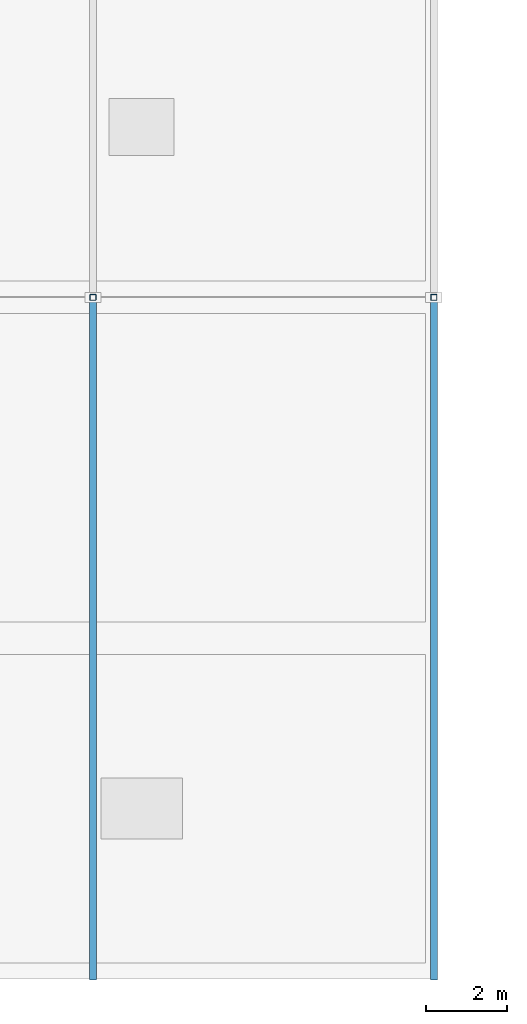
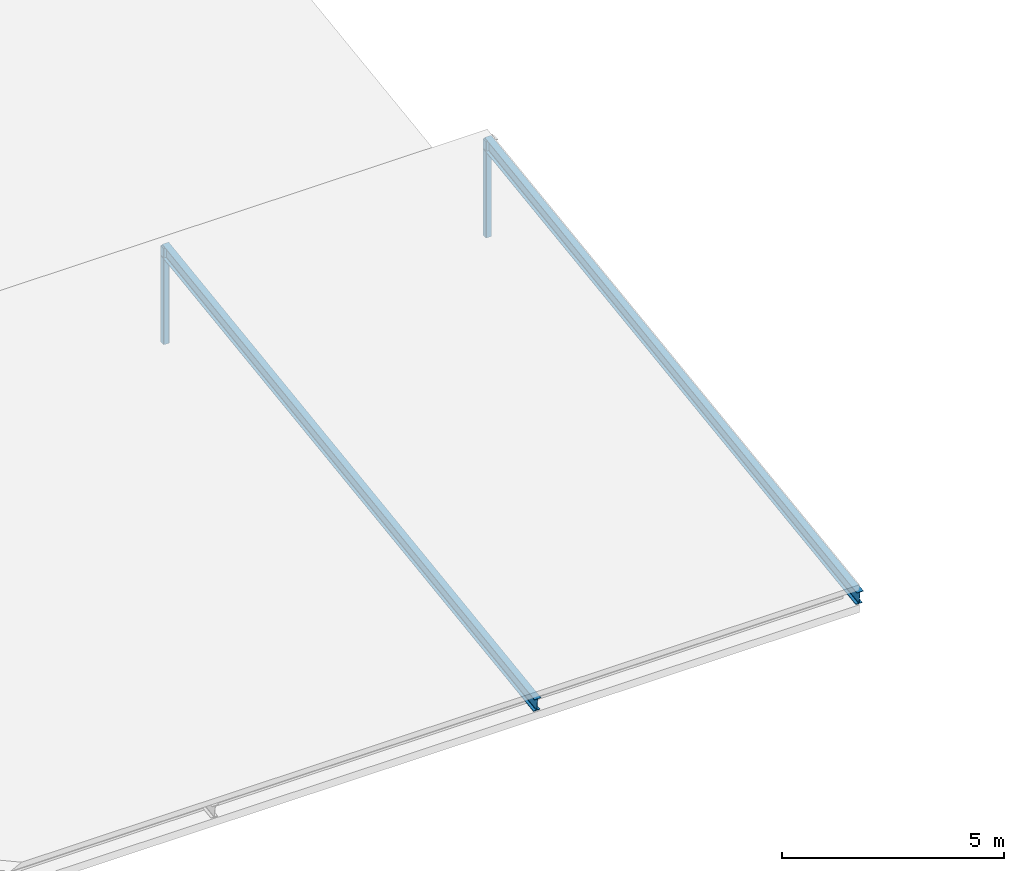
# One storey, part 2 of 12: 2 beams, 2 members.
"""IFC4 building model written with IfcOpenShell, lengths in metres."""

from ifc_helpers import new_model, si_unit, direction, frame, origin, origin_2d, place, context, subcontext, project, spatial, hollow_rectangle, i_section, extrude, material, material_profile, profile_set, type_object, element, save


model = new_model("IFC4")

# Units and contexts
model_context = context("Model", 3, precision=1e-05, world=origin(), true_north=direction((0.0, 1.0)))
body_context = subcontext(model_context, "Body", "Model", "MODEL_VIEW")
ifc_project = project(units=[si_unit("LENGTHUNIT", "METRE"), si_unit("AREAUNIT", "SQUARE_METRE"), si_unit("VOLUMEUNIT", "CUBIC_METRE"), si_unit("PLANEANGLEUNIT", "RADIAN"), si_unit("MASSUNIT", "GRAM", prefix="KILO")], contexts=[model_context])

# Site, building, storey
site_placement = place(None, origin())
site = spatial("IfcSite", under=ifc_project, at=site_placement, CompositionType="ELEMENT")
building_placement = place(site_placement, origin())
building = spatial("IfcBuilding", under=site, at=building_placement, Name="Varnapada Polytechnic", CompositionType="ELEMENT")
storey_placement = place(building_placement, frame((0.0, 0.0, 30.60009765625)))
storey = spatial("IfcBuildingStorey", under=building, at=storey_placement, Name="Roof", CompositionType="ELEMENT", Elevation=30.60009765625)

# Members
ifc_material = material(Name="Steel S355", Category="steel")
ifc_material_profile_1 = material_profile(ifc_material, hollow_rectangle(XDim=0.14990234375, YDim=0.14990234375, WallThickness=0.00634765625, InnerFilletRadius=0.006103515625, OuterFilletRadius=0.011962890625, at=origin_2d()), Name="SHS 150x150x6.3")
ifc_profile_set_1 = profile_set([ifc_material_profile_1], Name="Steel S355")
member_type = type_object("IfcMemberType", Name="Sawtooth north-light mullion post SFP-02 (SHS 150x150x6.3)", PredefinedType="POST", material=ifc_profile_set_1)
for number, where, z_axis, x_axis, name in (
    (1, (16.800048828125, 75.60009765625, -0.02001953125), (0.0, 0.0, 1.0), (1.0, 0.0, 0.0), "Studio sawtooth north-light post 1.3"),
    (2, (25.199951171875, 75.60009765625, -0.02001953125), (0.0, 0.0, 1.0), (1.0, 0.0, 0.0), "Studio sawtooth north-light post 1.4"),
):
    element("IfcMember", number, at=place(storey_placement, frame(where, z_axis=z_axis, x_axis=x_axis)), inside=storey, type_object=member_type, Name=name, PredefinedType="POST", context=body_context, shape_type="SweptSolid", body=[
        extrude(hollow_rectangle(XDim=0.14990234375, YDim=0.14990234375, WallThickness=0.00634765625, InnerFilletRadius=0.006103515625, OuterFilletRadius=0.011962890625, at=origin_2d()), origin(), (0.0, 0.0, 1.0), 2.64990234375),
    ])

# Beams
ifc_material_profile_2 = material_profile(ifc_material, i_section(OverallWidth=0.169921875, OverallDepth=0.360107421875, WebThickness=0.008056640625, FlangeThickness=0.0126953125, FilletRadius=0.01806640625, at=origin_2d()), Name="IPE 360")
ifc_profile_set_2 = profile_set([ifc_material_profile_2], Name="Steel S355")
beam_type = type_object("IfcBeamType", Name="Sawtooth studio roof rafter SB-03 (IPE 360)", PredefinedType="BEAM", material=ifc_profile_set_2)
for number, where, z_axis, x_axis, name in (
    (3, (16.800048828125, 58.800048828125, 0.18994140625), (0.0, 0.990278055144, 0.139102025504), (-1.0, 0.0, 0.0), "Studio sawtooth rafter 1.3"),
    (4, (25.199951171875, 58.800048828125, 0.18994140625), (0.0, 0.990278055144, 0.139102025504), (-1.0, 0.0, 0.0), "Studio sawtooth rafter 1.4"),
):
    element("IfcBeam", number, at=place(storey_placement, frame(where, z_axis=z_axis, x_axis=x_axis)), inside=storey, type_object=beam_type, Name=name, PredefinedType="BEAM", context=body_context, shape_type="SweptSolid", body=[
        extrude(i_section(OverallWidth=0.169921875, OverallDepth=0.360107421875, WebThickness=0.008056640625, FlangeThickness=0.0126953125, FilletRadius=0.01806640625, at=origin_2d()), origin(), (0.0, 0.0, 1.0), 16.965087890625),
    ])

save(model, "model.ifc")
